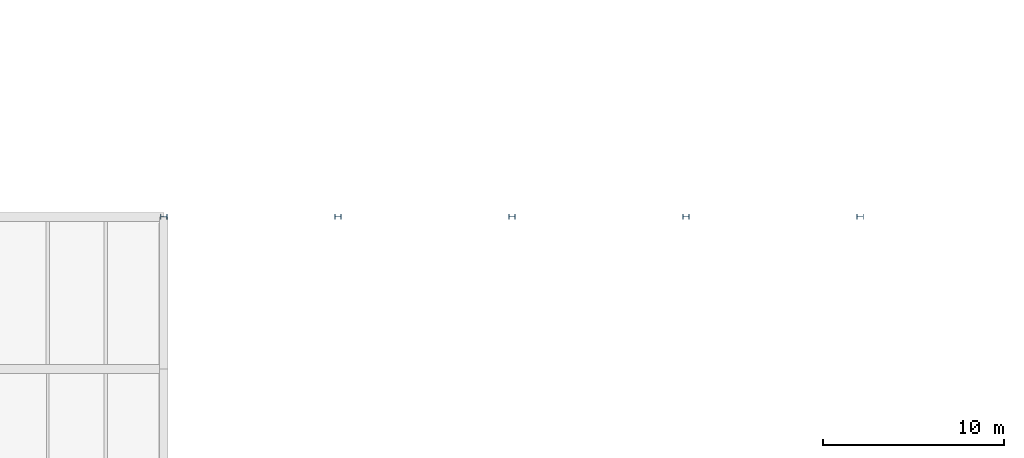
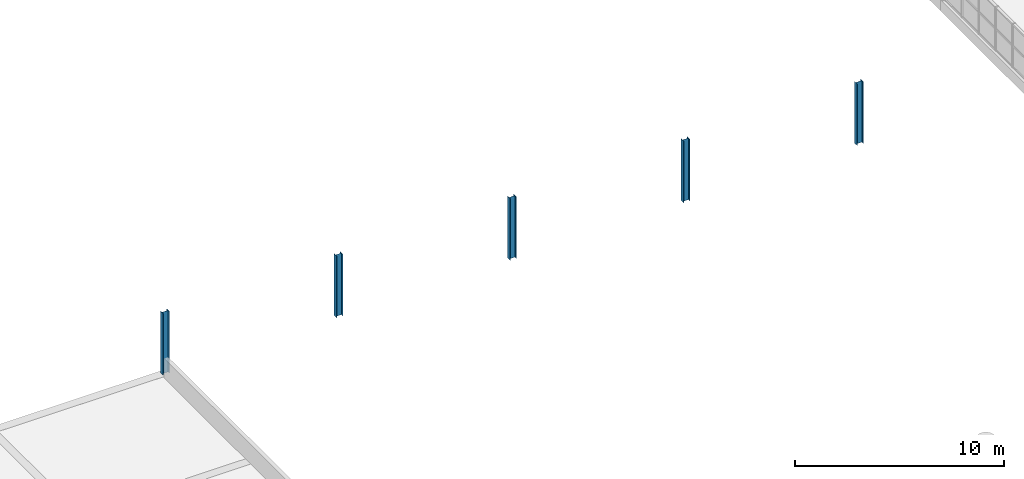
# One storey, part 4 of 147: 5 columns.
"""IFC4 building model written with IfcOpenShell, lengths in metres."""

from ifc_helpers import new_model, si_unit, direction, frame, origin, origin_2d, place, context, subcontext, project, spatial, i_section, extrude, material, material_profile, profile_set, type_object, element, save


model = new_model("IFC4")

# Units and contexts
model_context = context("Model", 3, precision=1e-05, world=origin(), true_north=direction((0.0, 1.0)))
body_context = subcontext(model_context, "Body", "Model", "MODEL_VIEW")
ifc_project = project(units=[si_unit("LENGTHUNIT", "METRE"), si_unit("AREAUNIT", "SQUARE_METRE"), si_unit("VOLUMEUNIT", "CUBIC_METRE"), si_unit("PLANEANGLEUNIT", "RADIAN"), si_unit("MASSUNIT", "GRAM", prefix="KILO")], contexts=[model_context])

# Site, building, storey
site_placement = place(None, origin())
site = spatial("IfcSite", under=ifc_project, at=site_placement, CompositionType="ELEMENT")
building_placement = place(site_placement, origin())
building = spatial("IfcBuilding", under=site, at=building_placement, Name="Oolite Switchyard Hospital", CompositionType="ELEMENT")
storey_placement = place(building_placement, frame((0.0, 0.0, 9.89990234375)))
storey = spatial("IfcBuildingStorey", under=building, at=storey_placement, Name="L02", CompositionType="ELEMENT", Elevation=9.89990234375)

# Columns
ifc_material = material(Name="Steel ASTM A992 Grade 50", Category="steel")
ifc_material_profile = material_profile(ifc_material, i_section(OverallWidth=0.25390625, OverallDepth=0.35595703125, WebThickness=0.010986328125, FlangeThickness=0.01806640625, at=origin_2d()), Name="W14X68")
ifc_profile_set = profile_set([ifc_material_profile], Name="Steel ASTM A992 Grade 50")
column_type = type_object("IfcColumnType", Name="COL-STL14X68", PredefinedType="COLUMN", material=ifc_profile_set)
for number, where, z_axis, x_axis, name in (
    (1, (67.199951171875, 33.60009765625, 0.0), (0.0, 0.0, 1.0), (0.0, -1.0, 0.0), "L02 Column 736"),
    (2, (76.800048828125, 33.60009765625, 0.0), (0.0, 0.0, 1.0), (0.0, -1.0, 0.0), "L02 Column 745"),
    (3, (86.39990234375, 33.60009765625, 0.0), (0.0, 0.0, 1.0), (0.0, -1.0, 0.0), "L02 Column 754"),
    (4, (96.0, 33.60009765625, 0.0), (0.0, 0.0, 1.0), (0.0, -1.0, 0.0), "L02 Column 760"),
    (5, (105.60009765625, 33.60009765625, 0.0), (0.0, 0.0, 1.0), (0.0, -1.0, 0.0), "L02 Column 766"),
):
    element("IfcColumn", number, at=place(storey_placement, frame(where, z_axis=z_axis, x_axis=x_axis)), inside=storey, type_object=column_type, Name=name, PredefinedType="COLUMN", context=body_context, shape_type="SweptSolid", body=[
        extrude(i_section(OverallWidth=0.25390625, OverallDepth=0.35595703125, WebThickness=0.010986328125, FlangeThickness=0.01806640625, at=origin_2d()), origin(), (0.0, 0.0, 1.0), 3.60009765625),
    ])

save(model, "model.ifc")
